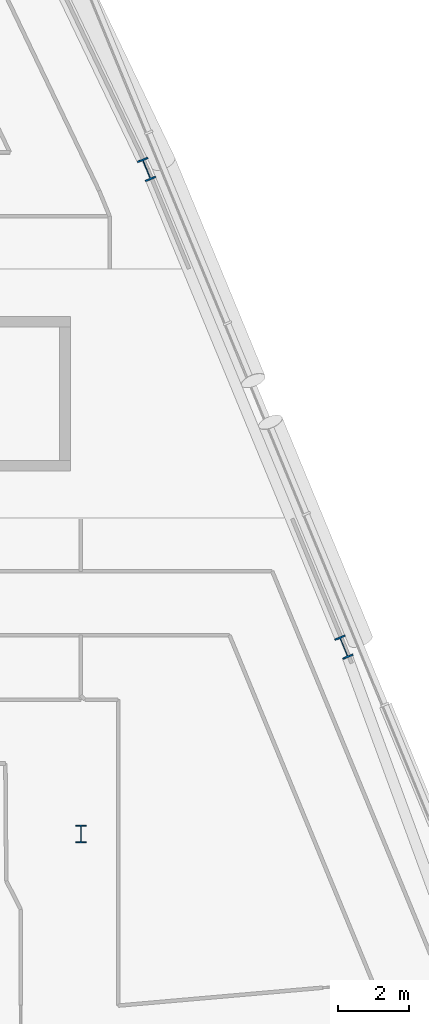
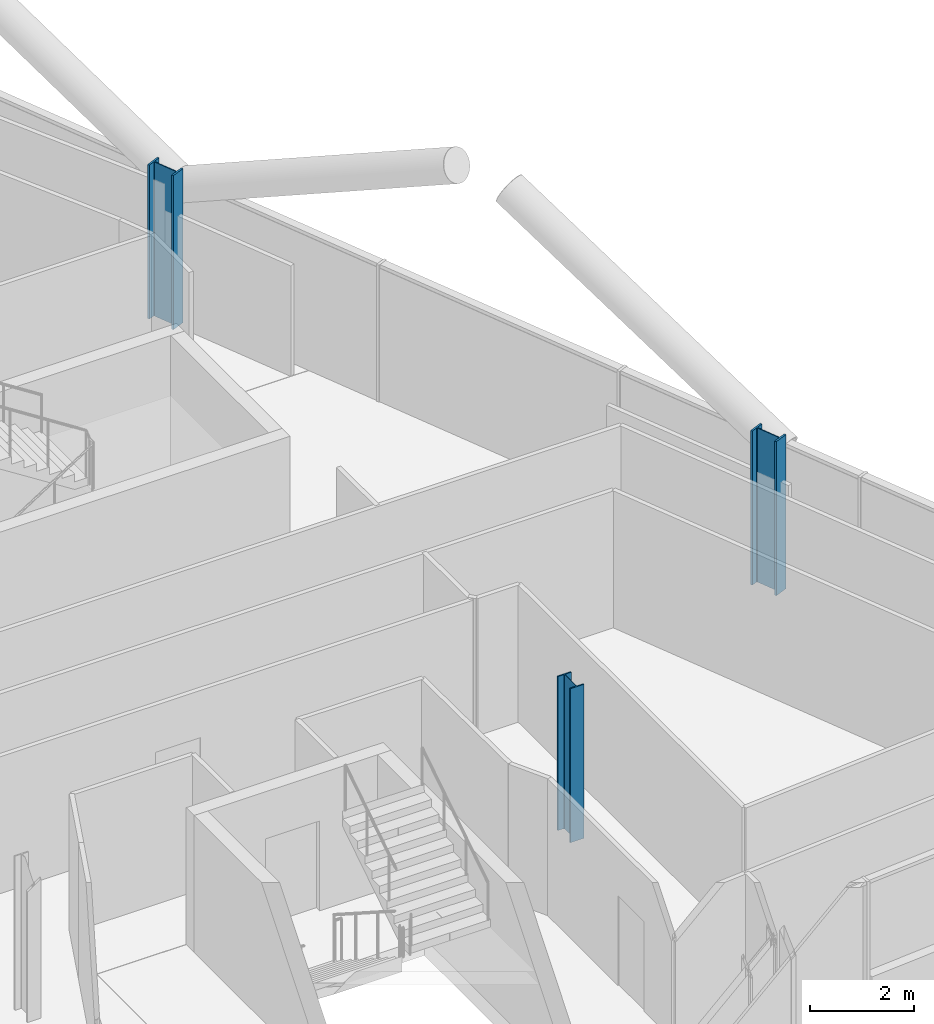
# One storey, part 5 of 27: 3 columns.
"""IFC4 building model written with IfcOpenShell, lengths in metres."""

from ifc_helpers import new_model, si_unit, direction, frame, origin, origin_2d, place, context, subcontext, project, spatial, i_section, extrude, material, material_profile, profile_set, type_object, element, save


model = new_model("IFC4")

# Units and contexts
model_context = context("Model", 3, precision=1e-05, world=origin(), true_north=direction((0.0, 1.0)))
body_context = subcontext(model_context, "Body", "Model", "MODEL_VIEW")
ifc_project = project(units=[si_unit("LENGTHUNIT", "METRE"), si_unit("AREAUNIT", "SQUARE_METRE"), si_unit("VOLUMEUNIT", "CUBIC_METRE"), si_unit("PLANEANGLEUNIT", "RADIAN"), si_unit("MASSUNIT", "GRAM", prefix="KILO")], contexts=[model_context])

# Site, building, storey
site_placement = place(None, origin())
site = spatial("IfcSite", under=ifc_project, at=site_placement, CompositionType="ELEMENT")
building_placement = place(site_placement, origin())
building = spatial("IfcBuilding", under=site, at=building_placement, Name="Wharfspan Tower", CompositionType="ELEMENT")
storey_placement = place(building_placement, frame((0.0, 0.0, 191.5)))
storey = spatial("IfcBuildingStorey", under=building, at=storey_placement, Name="L47", CompositionType="ELEMENT", Elevation=191.5)

# Columns
ifc_material = material(Name="Steel S355J2", Category="steel")
ifc_material_profile_1 = material_profile(ifc_material, i_section(OverallWidth=0.300049, OverallDepth=0.5, WebThickness=0.014404, FlangeThickness=0.028076, FilletRadius=0.0271, at=origin_2d()))
ifc_profile_set_1 = profile_set([ifc_material_profile_1], Name="Steel S355J2")
column_type_1 = type_object("IfcColumnType", Name="Column HEB 500", PredefinedType="COLUMN", material=ifc_profile_set_1)
column_placement = place(storey_placement, frame((72.0, 11.5, 0.0), z_axis=(0.0, 0.0, 1.0), x_axis=(1.0, 0.0, 0.0)))
element("IfcColumn", 1, at=column_placement, inside=storey, type_object=column_type_1, Name="Interior column I.1.5 L47", PredefinedType="COLUMN", context=body_context, shape_type="SweptSolid", body=[
    extrude(i_section(OverallWidth=0.300049, OverallDepth=0.5, WebThickness=0.014404, FlangeThickness=0.028076, FilletRadius=0.0271, at=origin_2d()), origin(), (0.0, 0.0, 1.0), 3.600098),
])
ifc_material_profile_2 = material_profile(ifc_material, i_section(OverallWidth=0.304932, OverallDepth=0.620117, WebThickness=0.020996, FlangeThickness=0.040039, FilletRadius=0.0271, at=origin_2d()))
ifc_profile_set_2 = profile_set([ifc_material_profile_2], Name="Steel S355J2")
column_type_2 = type_object("IfcColumnType", Name="Column HEM 600", PredefinedType="COLUMN", material=ifc_profile_set_2)
for number, where, z_axis, x_axis, name in (
    (2, (79.409668, 16.761719, 0.0), (0.0, 0.0, 1.0), (0.924325, 0.381602, 0.0), "Perimeter column PE.1 L47"),
    (3, (73.85376, 30.219238, 0.0), (0.0, 0.0, 1.0), (0.924325, 0.381602, 0.0), "Perimeter column PE.2 L47"),
):
    element("IfcColumn", number, at=place(storey_placement, frame(where, z_axis=z_axis, x_axis=x_axis)), inside=storey, type_object=column_type_2, Name=name, PredefinedType="COLUMN", context=body_context, shape_type="SweptSolid", body=[
        extrude(i_section(OverallWidth=0.304932, OverallDepth=0.620117, WebThickness=0.020996, FlangeThickness=0.040039, FilletRadius=0.0271, at=origin_2d()), origin(), (0.0, 0.0, 1.0), 3.600098),
    ])

save(model, "model.ifc")
